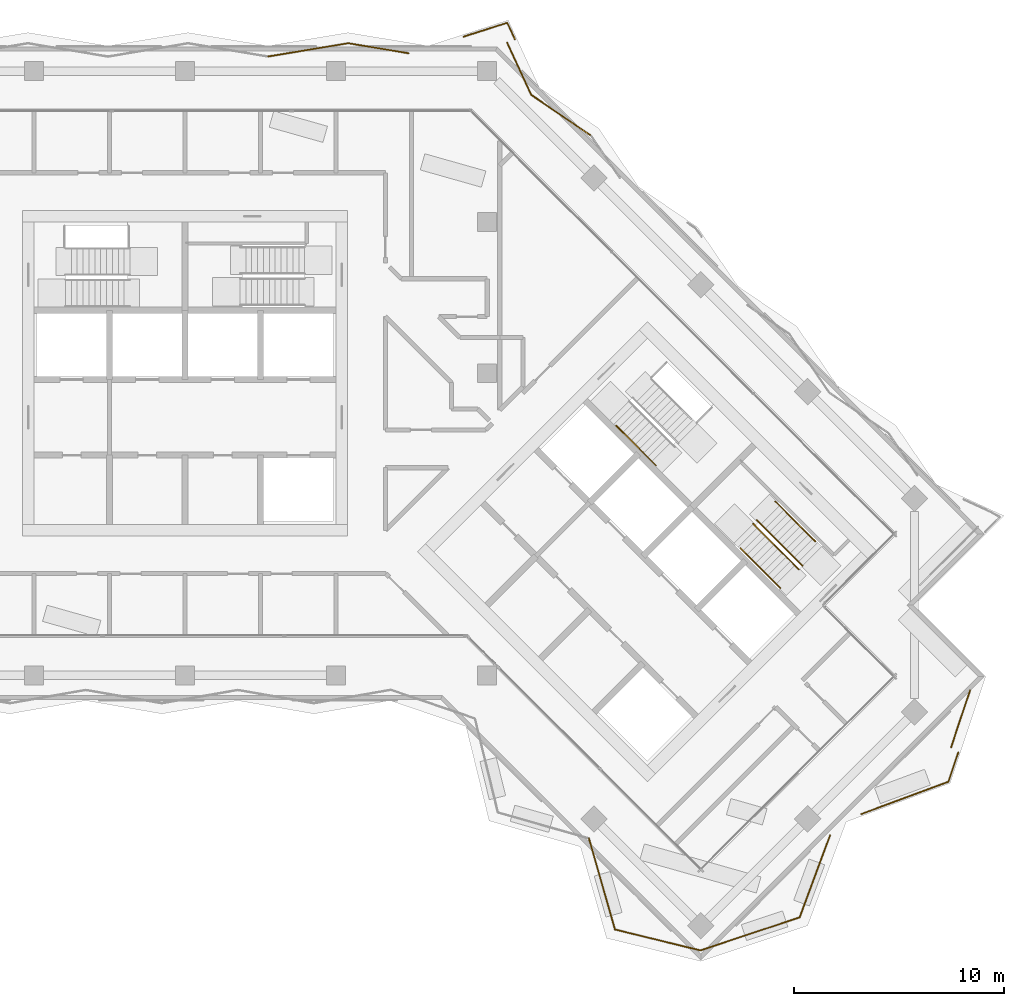
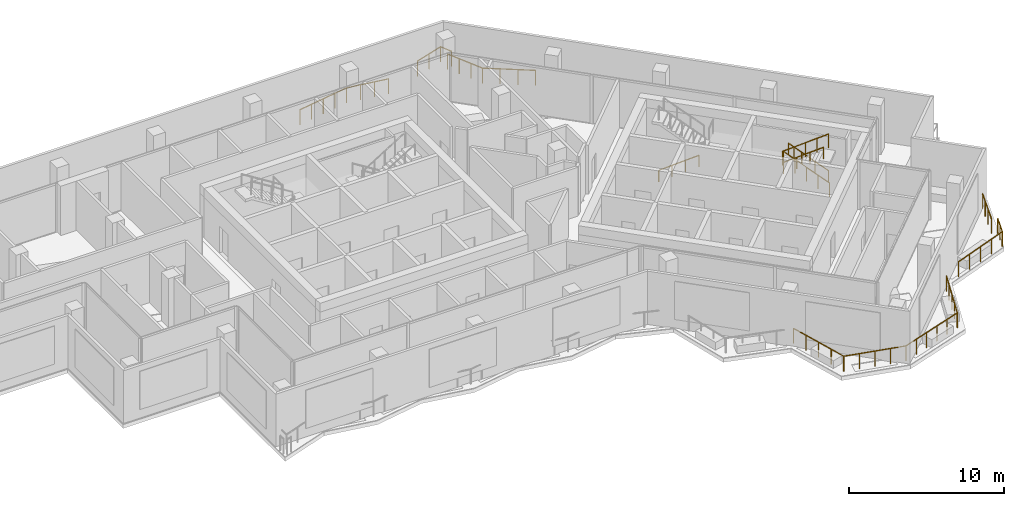
# One storey, part 18 of 19: 19 railings.
"""IFC4 building model written with IfcOpenShell, lengths in metres."""

from ifc_helpers import new_model, si_unit, direction, frame, origin, origin_2d, place, context, subcontext, project, spatial, circle, extrude, material, type_object, element, save


model = new_model("IFC4")

# Units and contexts
model_context = context("Model", 3, precision=1e-05, world=origin(), true_north=direction((0.0, 1.0)))
body_context = subcontext(model_context, "Body", "Model", "MODEL_VIEW")
ifc_project = project(units=[si_unit("LENGTHUNIT", "METRE"), si_unit("AREAUNIT", "SQUARE_METRE"), si_unit("VOLUMEUNIT", "CUBIC_METRE"), si_unit("PLANEANGLEUNIT", "RADIAN"), si_unit("MASSUNIT", "GRAM", prefix="KILO")], contexts=[model_context])

# Site, building, storey
site_placement = place(None, origin())
site = spatial("IfcSite", under=ifc_project, at=site_placement, CompositionType="ELEMENT")
building_placement = place(site_placement, origin())
building = spatial("IfcBuilding", under=site, at=building_placement, Name="Windrow Commons", CompositionType="ELEMENT")
storey_placement = place(building_placement, frame((0.0, 0.0, 176.2)))
storey = spatial("IfcBuildingStorey", under=building, at=storey_placement, Name="L48", CompositionType="ELEMENT", Elevation=176.2)

# Railings
ifc_material_1 = material(Name="Steel S355", Category="steel")
railing_type_1 = type_object("IfcRailingType", Name="Core stair guard 1100", PredefinedType="GUARDRAIL", material=ifc_material_1)
railing_1_placement = place(storey_placement, frame((94.2296, 48.4215, 0.175)))
element("IfcRailing", 1, at=railing_1_placement, inside=storey, type_object=railing_type_1, Name="L48 ST-B2 stair guard 1", PredefinedType="GUARDRAIL", context=body_context, shape_type="SweptSolid", body=[
    extrude(circle(Radius=0.024, at=origin_2d()), frame((0.0, 0.0, 1.076), z_axis=(-0.5996262107, 0.5996262107, 0.5299969951), x_axis=(-0.7071067812, -0.7071067812, 0.0)), (0.0, 0.0, 1.0), 3.6321),
    extrude(circle(Radius=0.021, at=origin_2d()), origin(), (0.0, 0.0, 1.0), 1.052),
    extrude(circle(Radius=0.021, at=origin_2d()), frame((-0.5445, 0.5445, 0.4813)), (0.0, 0.0, 1.0), 1.052),
    extrude(circle(Radius=0.021, at=origin_2d()), frame((-1.089, 1.089, 0.9625)), (0.0, 0.0, 1.0), 1.052),
    extrude(circle(Radius=0.021, at=origin_2d()), frame((-1.6334, 1.6334, 1.4438)), (0.0, 0.0, 1.0), 1.052),
    extrude(circle(Radius=0.021, at=origin_2d()), frame((-2.1779, 2.1779, 1.925)), (0.0, 0.0, 1.0), 1.052),
])
railing_2_placement = place(storey_placement, frame((91.8749, 50.4226, 2.275)))
element("IfcRailing", 2, at=railing_2_placement, inside=storey, type_object=railing_type_1, Name="L48 ST-B2 stair guard 2", PredefinedType="GUARDRAIL", context=body_context, shape_type="SweptSolid", body=[
    extrude(circle(Radius=0.024, at=origin_2d()), frame((0.0, 0.0, 1.076), z_axis=(0.5996262107, -0.5996262107, 0.5299969951), x_axis=(0.7071067812, 0.7071067812, 0.0)), (0.0, 0.0, 1.0), 3.6321),
    extrude(circle(Radius=0.021, at=origin_2d()), origin(), (0.0, 0.0, 1.0), 1.052),
    extrude(circle(Radius=0.021, at=origin_2d()), frame((0.5445, -0.5445, 0.4813)), (0.0, 0.0, 1.0), 1.052),
    extrude(circle(Radius=0.021, at=origin_2d()), frame((1.089, -1.089, 0.9625)), (0.0, 0.0, 1.0), 1.052),
    extrude(circle(Radius=0.021, at=origin_2d()), frame((1.6334, -1.6334, 1.4438)), (0.0, 0.0, 1.0), 1.052),
    extrude(circle(Radius=0.021, at=origin_2d()), frame((2.1779, -2.1779, 1.925)), (0.0, 0.0, 1.0), 1.052),
])
ifc_material_2 = material(Name="Steel S355", Category="steel")
railing_type_2 = type_object("IfcRailingType", Name="Core stair handrail 900", PredefinedType="HANDRAIL", material=ifc_material_2)
railing_3_placement = place(storey_placement, frame((85.3518, 55.1001, 0.425)))
element("IfcRailing", 3, at=railing_3_placement, inside=storey, type_object=railing_type_2, Name="L48 ST-B1 stair handrail 1", PredefinedType="HANDRAIL", context=body_context, shape_type="SweptSolid", body=[
    extrude(circle(Radius=0.024, at=origin_2d()), frame((0.0, 0.0, 0.876), z_axis=(0.599641512, -0.5996098703, 0.5299981703), x_axis=(0.7070881243, 0.7071254376, 0.0)), (0.0, 0.0, 1.0), 3.1604),
    extrude(circle(Radius=0.021, at=origin_2d()), origin(), (0.0, 0.0, 1.0), 0.852),
    extrude(circle(Radius=0.021, at=origin_2d()), frame((0.6317, -0.6317, 0.5583)), (0.0, 0.0, 1.0), 0.852),
    extrude(circle(Radius=0.021, at=origin_2d()), frame((1.2634, -1.2633, 1.1167)), (0.0, 0.0, 1.0), 0.852),
    extrude(circle(Radius=0.021, at=origin_2d()), frame((1.8951, -1.895, 1.675)), (0.0, 0.0, 1.0), 0.852),
])
railing_4_placement = place(storey_placement, frame((94.8306, 49.5883, 0.425)))
element("IfcRailing", 4, at=railing_4_placement, inside=storey, type_object=railing_type_2, Name="L48 ST-B2 stair handrail 1", PredefinedType="HANDRAIL", context=body_context, shape_type="SweptSolid", body=[
    extrude(circle(Radius=0.024, at=origin_2d()), frame((0.0, 0.0, 0.876), z_axis=(-0.599641512, 0.5996098703, 0.5299981703), x_axis=(-0.7070881243, -0.7071254376, 0.0)), (0.0, 0.0, 1.0), 3.1604),
    extrude(circle(Radius=0.021, at=origin_2d()), origin(), (0.0, 0.0, 1.0), 0.852),
    extrude(circle(Radius=0.021, at=origin_2d()), frame((-0.6317, 0.6317, 0.5583)), (0.0, 0.0, 1.0), 0.852),
    extrude(circle(Radius=0.021, at=origin_2d()), frame((-1.2634, 1.2633, 1.1167)), (0.0, 0.0, 1.0), 0.852),
    extrude(circle(Radius=0.021, at=origin_2d()), frame((-1.8951, 1.895, 1.675)), (0.0, 0.0, 1.0), 0.852),
])
railing_5_placement = place(storey_placement, frame((91.2738, 49.2559, 2.525)))
element("IfcRailing", 5, at=railing_5_placement, inside=storey, type_object=railing_type_2, Name="L48 ST-B2 stair handrail 2", PredefinedType="HANDRAIL", context=body_context, shape_type="SweptSolid", body=[
    extrude(circle(Radius=0.024, at=origin_2d()), frame((0.0, 0.0, 0.876), z_axis=(0.599641512, -0.5996098703, 0.5299981703), x_axis=(0.7070881243, 0.7071254376, 0.0)), (0.0, 0.0, 1.0), 3.1604),
    extrude(circle(Radius=0.021, at=origin_2d()), origin(), (0.0, 0.0, 1.0), 0.852),
    extrude(circle(Radius=0.021, at=origin_2d()), frame((0.6317, -0.6317, 0.5583)), (0.0, 0.0, 1.0), 0.852),
    extrude(circle(Radius=0.021, at=origin_2d()), frame((1.2634, -1.2633, 1.1167)), (0.0, 0.0, 1.0), 0.852),
    extrude(circle(Radius=0.021, at=origin_2d()), frame((1.8951, -1.895, 1.675)), (0.0, 0.0, 1.0), 0.852),
])
ifc_material_3 = material(Name="Stainless steel S316 balustrade with toughened glass infill", Category="steel")
railing_type_3 = type_object("IfcRailingType", Name="Terrace guard 1200 podium", PredefinedType="BALUSTRADE", material=ifc_material_3)
railing_6_placement = place(storey_placement, frame((68.7592, 72.6932, 0.05)))
element("IfcRailing", 6, at=railing_6_placement, inside=storey, type_object=railing_type_3, Name="Guard TR-L48-1.E26", PredefinedType="BALUSTRADE", context=body_context, shape_type="SweptSolid", body=[
    extrude(circle(Radius=0.025, at=origin_2d()), frame((0.0, 0.0, 1.175), z_axis=(0.9865110911, 0.1636944324, 0.0), x_axis=(-0.1636944324, 0.9865110911, 0.0)), (0.0, 0.0, 1.0), 3.867),
    extrude(circle(Radius=0.02, at=origin_2d()), origin(), (0.0, 0.0, 1.0), 1.15),
    extrude(circle(Radius=0.02, at=origin_2d()), frame((0.9537, 0.1582, 0.0)), (0.0, 0.0, 1.0), 1.15),
    extrude(circle(Radius=0.02, at=origin_2d()), frame((1.9074, 0.3165, 0.0)), (0.0, 0.0, 1.0), 1.15),
    extrude(circle(Radius=0.02, at=origin_2d()), frame((2.8611, 0.4747, 0.0)), (0.0, 0.0, 1.0), 1.15),
    extrude(circle(Radius=0.02, at=origin_2d()), frame((3.8148, 0.633, 0.0)), (0.0, 0.0, 1.0), 1.15),
])
railing_7_placement = place(storey_placement, frame((72.574, 73.3262, 0.05)))
element("IfcRailing", 7, at=railing_7_placement, inside=storey, type_object=railing_type_3, Name="Guard TR-L48-1.E27", PredefinedType="BALUSTRADE", context=body_context, shape_type="SweptSolid", body=[
    extrude(circle(Radius=0.025, at=origin_2d()), frame((0.0, 0.0, 1.175), z_axis=(0.9865094058, -0.1637045887, 0.0), x_axis=(0.1637045887, 0.9865094058, 0.0)), (0.0, 0.0, 1.0), 2.9193),
    extrude(circle(Radius=0.02, at=origin_2d()), origin(), (0.0, 0.0, 1.0), 1.15),
    extrude(circle(Radius=0.02, at=origin_2d()), frame((0.96, -0.1593, 0.0)), (0.0, 0.0, 1.0), 1.15),
    extrude(circle(Radius=0.02, at=origin_2d()), frame((1.9199, -0.3186, 0.0)), (0.0, 0.0, 1.0), 1.15),
    extrude(circle(Radius=0.02, at=origin_2d()), frame((2.8799, -0.4779, 0.0)), (0.0, 0.0, 1.0), 1.15),
])
railing_8_placement = place(storey_placement, frame((80.1467, 73.3637, 0.05)))
element("IfcRailing", 8, at=railing_8_placement, inside=storey, type_object=railing_type_3, Name="Guard TR-L48-1.E28", PredefinedType="BALUSTRADE", context=body_context, shape_type="SweptSolid", body=[
    extrude(circle(Radius=0.025, at=origin_2d()), frame((0.0, 0.0, 1.175), z_axis=(0.4192748166, -0.9078593658, 0.0), x_axis=(0.9078593658, 0.4192748166, 0.0)), (0.0, 0.0, 1.0), 2.7514),
    extrude(circle(Radius=0.02, at=origin_2d()), origin(), (0.0, 0.0, 1.0), 1.15),
    extrude(circle(Radius=0.02, at=origin_2d()), frame((0.3845, -0.8326, 0.0)), (0.0, 0.0, 1.0), 1.15),
    extrude(circle(Radius=0.02, at=origin_2d()), frame((0.7691, -1.6653, 0.0)), (0.0, 0.0, 1.0), 1.15),
    extrude(circle(Radius=0.02, at=origin_2d()), frame((1.1536, -2.4979, 0.0)), (0.0, 0.0, 1.0), 1.15),
])
railing_9_placement = place(storey_placement, frame((81.3003, 70.8658, 0.05)))
element("IfcRailing", 9, at=railing_9_placement, inside=storey, type_object=railing_type_3, Name="Guard TR-L48-1.E29", PredefinedType="BALUSTRADE", context=body_context, shape_type="SweptSolid", body=[
    extrude(circle(Radius=0.025, at=origin_2d()), frame((0.0, 0.0, 1.175), z_axis=(0.825865953, -0.5638664982, 0.0), x_axis=(0.5638664982, 0.825865953, 0.0)), (0.0, 0.0, 1.0), 3.4439),
    extrude(circle(Radius=0.02, at=origin_2d()), origin(), (0.0, 0.0, 1.0), 1.15),
    extrude(circle(Radius=0.02, at=origin_2d()), frame((0.9481, -0.6473, 0.0)), (0.0, 0.0, 1.0), 1.15),
    extrude(circle(Radius=0.02, at=origin_2d()), frame((1.8961, -1.2946, 0.0)), (0.0, 0.0, 1.0), 1.15),
    extrude(circle(Radius=0.02, at=origin_2d()), frame((2.8442, -1.9419, 0.0)), (0.0, 0.0, 1.0), 1.15),
])
railing_10_placement = place(storey_placement, frame((102.21, 42.4846, 0.05)))
element("IfcRailing", 10, at=railing_10_placement, inside=storey, type_object=railing_type_3, Name="Guard TR-L48-1.E36", PredefinedType="BALUSTRADE", context=body_context, shape_type="SweptSolid", body=[
    extrude(circle(Radius=0.025, at=origin_2d()), frame((0.0, 0.0, 1.175), z_axis=(-0.3162112392, -0.9486888068, 0.0), x_axis=(0.9486888068, -0.3162112392, 0.0)), (0.0, 0.0, 1.0), 1.8152),
    extrude(circle(Radius=0.02, at=origin_2d()), origin(), (0.0, 0.0, 1.0), 1.15),
    extrude(circle(Radius=0.02, at=origin_2d()), frame((-0.287, -0.861, 0.0)), (0.0, 0.0, 1.0), 1.15),
    extrude(circle(Radius=0.02, at=origin_2d()), frame((-0.574, -1.7221, 0.0)), (0.0, 0.0, 1.0), 1.15),
])
railing_11_placement = place(storey_placement, frame((101.636, 40.7625, 0.05)))
element("IfcRailing", 11, at=railing_11_placement, inside=storey, type_object=railing_type_3, Name="Guard TR-L48-1.E37", PredefinedType="BALUSTRADE", context=body_context, shape_type="SweptSolid", body=[
    extrude(circle(Radius=0.025, at=origin_2d()), frame((0.0, 0.0, 1.175), z_axis=(-0.3163133319, -0.9486547718, 0.0), x_axis=(0.9486547718, -0.3163133319, 0.0)), (0.0, 0.0, 1.0), 1.0518),
    extrude(circle(Radius=0.02, at=origin_2d()), origin(), (0.0, 0.0, 1.0), 1.15),
    extrude(circle(Radius=0.02, at=origin_2d()), frame((-0.3327, -0.9978, 0.0)), (0.0, 0.0, 1.0), 1.15),
])
railing_12_placement = place(storey_placement, frame((95.5422, 35.5839, 0.05)))
element("IfcRailing", 12, at=railing_12_placement, inside=storey, type_object=railing_type_3, Name="Guard TR-L48-1.E38", PredefinedType="BALUSTRADE", context=body_context, shape_type="SweptSolid", body=[
    extrude(circle(Radius=0.025, at=origin_2d()), frame((0.0, 0.0, 1.175), z_axis=(-0.348179916, -0.9374277285, 0.0), x_axis=(0.9374277285, -0.348179916, 0.0)), (0.0, 0.0, 1.0), 4.176),
    extrude(circle(Radius=0.02, at=origin_2d()), origin(), (0.0, 0.0, 1.0), 1.15),
    extrude(circle(Radius=0.02, at=origin_2d()), frame((-0.3635, -0.9787, 0.0)), (0.0, 0.0, 1.0), 1.15),
    extrude(circle(Radius=0.02, at=origin_2d()), frame((-0.727, -1.9573, 0.0)), (0.0, 0.0, 1.0), 1.15),
    extrude(circle(Radius=0.02, at=origin_2d()), frame((-1.0905, -2.936, 0.0)), (0.0, 0.0, 1.0), 1.15),
    extrude(circle(Radius=0.02, at=origin_2d()), frame((-1.454, -3.9147, 0.0)), (0.0, 0.0, 1.0), 1.15),
])
railing_13_placement = place(storey_placement, frame((94.0882, 31.6692, 0.05)))
element("IfcRailing", 13, at=railing_13_placement, inside=storey, type_object=railing_type_3, Name="Guard TR-L48-1.E39", PredefinedType="BALUSTRADE", context=body_context, shape_type="SweptSolid", body=[
    extrude(circle(Radius=0.025, at=origin_2d()), frame((0.0, 0.0, 1.175), z_axis=(-0.9486893186, -0.3162097037, 0.0), x_axis=(0.3162097037, -0.9486893186, 0.0)), (0.0, 0.0, 1.0), 4.9828),
    extrude(circle(Radius=0.02, at=origin_2d()), origin(), (0.0, 0.0, 1.0), 1.15),
    extrude(circle(Radius=0.02, at=origin_2d()), frame((-0.9454, -0.3151, 0.0)), (0.0, 0.0, 1.0), 1.15),
    extrude(circle(Radius=0.02, at=origin_2d()), frame((-1.8908, -0.6302, 0.0)), (0.0, 0.0, 1.0), 1.15),
    extrude(circle(Radius=0.02, at=origin_2d()), frame((-2.8363, -0.9454, 0.0)), (0.0, 0.0, 1.0), 1.15),
    extrude(circle(Radius=0.02, at=origin_2d()), frame((-3.7817, -1.2605, 0.0)), (0.0, 0.0, 1.0), 1.15),
    extrude(circle(Radius=0.02, at=origin_2d()), frame((-4.7271, -1.5756, 0.0)), (0.0, 0.0, 1.0), 1.15),
])
railing_14_placement = place(storey_placement, frame((89.3611, 30.0936, 0.05)))
element("IfcRailing", 14, at=railing_14_placement, inside=storey, type_object=railing_type_3, Name="Guard TR-L48-1.E40", PredefinedType="BALUSTRADE", context=body_context, shape_type="SweptSolid", body=[
    extrude(circle(Radius=0.025, at=origin_2d()), frame((0.0, 0.0, 1.175), z_axis=(-0.9712804435, 0.237937597, 0.0), x_axis=(-0.237937597, -0.9712804435, 0.0)), (0.0, 0.0, 1.0), 4.1935),
    extrude(circle(Radius=0.02, at=origin_2d()), origin(), (0.0, 0.0, 1.0), 1.15),
    extrude(circle(Radius=0.02, at=origin_2d()), frame((-1.0183, 0.2495, 0.0)), (0.0, 0.0, 1.0), 1.15),
    extrude(circle(Radius=0.02, at=origin_2d()), frame((-2.0365, 0.4989, 0.0)), (0.0, 0.0, 1.0), 1.15),
    extrude(circle(Radius=0.02, at=origin_2d()), frame((-3.0548, 0.7484, 0.0)), (0.0, 0.0, 1.0), 1.15),
    extrude(circle(Radius=0.02, at=origin_2d()), frame((-4.0731, 0.9978, 0.0)), (0.0, 0.0, 1.0), 1.15),
])
railing_15_placement = place(storey_placement, frame((85.288, 31.0914, 0.05)))
element("IfcRailing", 15, at=railing_15_placement, inside=storey, type_object=railing_type_3, Name="Guard TR-L48-1.E41", PredefinedType="BALUSTRADE", context=body_context, shape_type="SweptSolid", body=[
    extrude(circle(Radius=0.025, at=origin_2d()), frame((0.0, 0.0, 1.175), z_axis=(-0.2744607927, 0.961598291, 0.0), x_axis=(-0.961598291, -0.2744607927, 0.0)), (0.0, 0.0, 1.0), 4.5154),
    extrude(circle(Radius=0.02, at=origin_2d()), origin(), (0.0, 0.0, 1.0), 1.15),
    extrude(circle(Radius=0.02, at=origin_2d()), frame((-0.3098, 1.0855, 0.0)), (0.0, 0.0, 1.0), 1.15),
    extrude(circle(Radius=0.02, at=origin_2d()), frame((-0.6197, 2.171, 0.0)), (0.0, 0.0, 1.0), 1.15),
    extrude(circle(Radius=0.02, at=origin_2d()), frame((-0.9295, 3.2565, 0.0)), (0.0, 0.0, 1.0), 1.15),
    extrude(circle(Radius=0.02, at=origin_2d()), frame((-1.2393, 4.342, 0.0)), (0.0, 0.0, 1.0), 1.15),
])
railing_16_placement = place(storey_placement, frame((101.6476, 39.5326, 0.05)))
element("IfcRailing", 16, at=railing_16_placement, inside=storey, type_object=railing_type_3, Name="Guard TR-L48-1.C167", PredefinedType="BALUSTRADE", context=body_context, shape_type="SweptSolid", body=[
    extrude(circle(Radius=0.025, at=origin_2d()), frame((0.0, 0.0, 1.175), z_axis=(-0.3183829498, -0.9479621814, 0.0), x_axis=(0.9479621814, -0.3183829498, 0.0)), (0.0, 0.0, 1.0), 1.475),
    extrude(circle(Radius=0.02, at=origin_2d()), origin(), (0.0, 0.0, 1.0), 1.15),
    extrude(circle(Radius=0.02, at=origin_2d()), frame((-0.2348, -0.6991, 0.0)), (0.0, 0.0, 1.0), 1.15),
    extrude(circle(Radius=0.02, at=origin_2d()), frame((-0.4696, -1.3982, 0.0)), (0.0, 0.0, 1.0), 1.15),
])
railing_17_placement = place(storey_placement, frame((101.178, 38.1344, 0.05)))
element("IfcRailing", 17, at=railing_17_placement, inside=storey, type_object=railing_type_3, Name="Guard TR-L48-1.C168", PredefinedType="BALUSTRADE", context=body_context, shape_type="SweptSolid", body=[
    extrude(circle(Radius=0.025, at=origin_2d()), frame((0.0, 0.0, 1.175), z_axis=(-0.937424851, -0.3481876632, 0.0), x_axis=(0.3481876632, -0.937424851, 0.0)), (0.0, 0.0, 1.0), 4.4298),
    extrude(circle(Radius=0.02, at=origin_2d()), origin(), (0.0, 0.0, 1.0), 1.15),
    extrude(circle(Radius=0.02, at=origin_2d()), frame((-1.0381, -0.3856, 0.0)), (0.0, 0.0, 1.0), 1.15),
    extrude(circle(Radius=0.02, at=origin_2d()), frame((-2.0763, -0.7712, 0.0)), (0.0, 0.0, 1.0), 1.15),
    extrude(circle(Radius=0.02, at=origin_2d()), frame((-3.1144, -1.1568, 0.0)), (0.0, 0.0, 1.0), 1.15),
    extrude(circle(Radius=0.02, at=origin_2d()), frame((-4.1526, -1.5424, 0.0)), (0.0, 0.0, 1.0), 1.15),
])
railing_18_placement = place(storey_placement, frame((78.0725, 73.6391, 0.05)))
element("IfcRailing", 18, at=railing_18_placement, inside=storey, type_object=railing_type_3, Name="Guard TR-L48-1.C174", PredefinedType="BALUSTRADE", context=body_context, shape_type="SweptSolid", body=[
    extrude(circle(Radius=0.025, at=origin_2d()), frame((0.0, 0.0, 1.175), z_axis=(0.9532354621, 0.3022286448, 0.0), x_axis=(-0.3022286448, 0.9532354621, 0.0)), (0.0, 0.0, 1.0), 2.1848),
    extrude(circle(Radius=0.02, at=origin_2d()), origin(), (0.0, 0.0, 1.0), 1.15),
    extrude(circle(Radius=0.02, at=origin_2d()), frame((1.0413, 0.3302, 0.0)), (0.0, 0.0, 1.0), 1.15),
    extrude(circle(Radius=0.02, at=origin_2d()), frame((2.0826, 0.6603, 0.0)), (0.0, 0.0, 1.0), 1.15),
])
railing_19_placement = place(storey_placement, frame((80.1551, 74.2994, 0.05)))
element("IfcRailing", 19, at=railing_19_placement, inside=storey, type_object=railing_type_3, Name="Guard TR-L48-1.C175", PredefinedType="BALUSTRADE", context=body_context, shape_type="SweptSolid", body=[
    extrude(circle(Radius=0.025, at=origin_2d()), frame((0.0, 0.0, 1.175), z_axis=(0.4193541967, -0.9078227017, 0.0), x_axis=(0.9078227017, 0.4193541967, 0.0)), (0.0, 0.0, 1.0), 0.8783),
    extrude(circle(Radius=0.02, at=origin_2d()), origin(), (0.0, 0.0, 1.0), 1.15),
    extrude(circle(Radius=0.02, at=origin_2d()), frame((0.3683, -0.7973, 0.0)), (0.0, 0.0, 1.0), 1.15),
])

save(model, "model.ifc")
